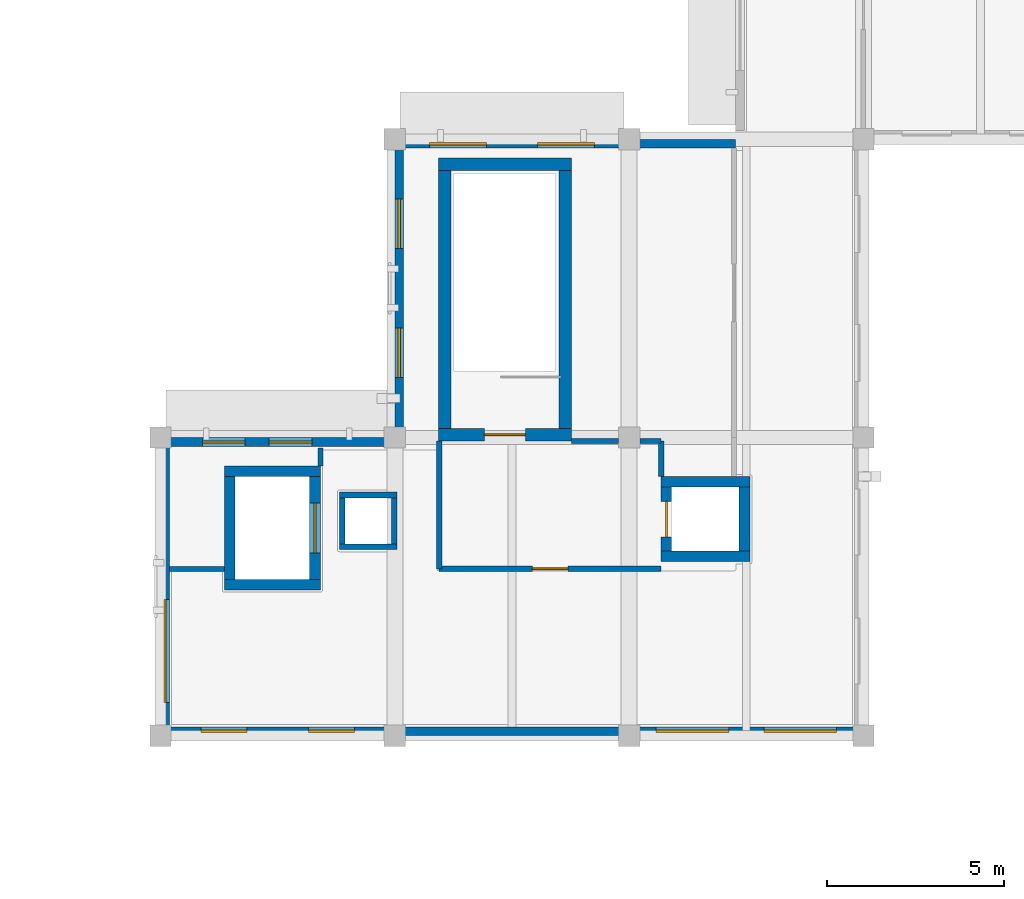
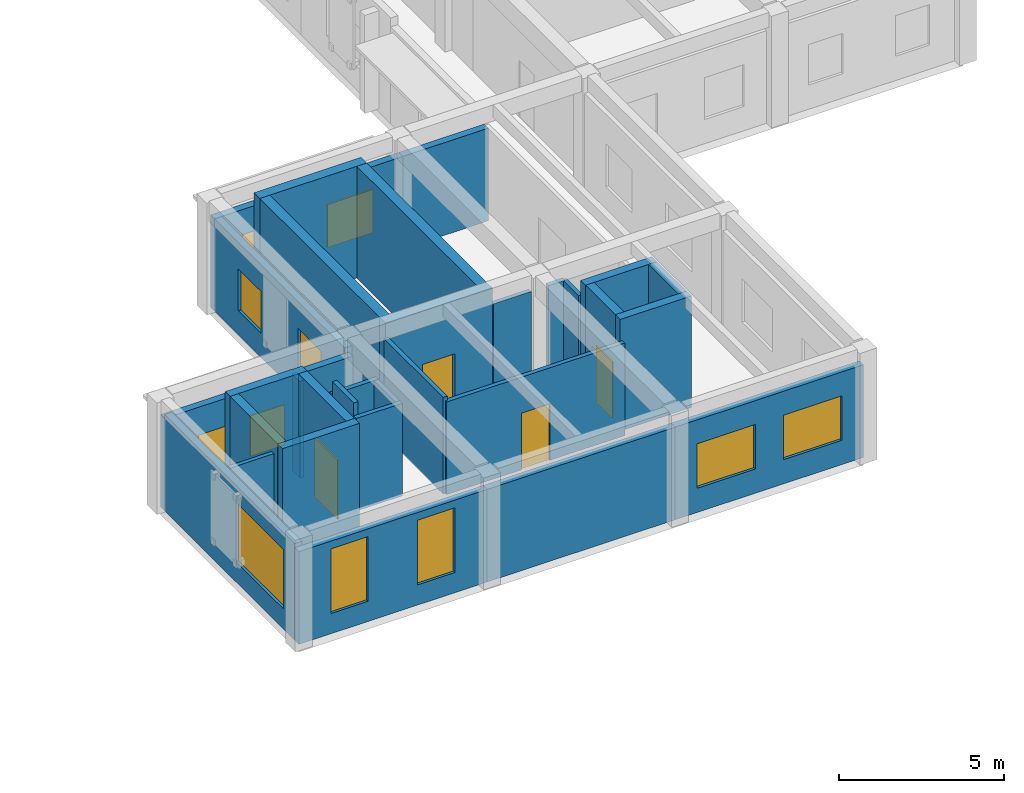
# One storey, part 6 of 14: 31 walls, 11 windows, 4 doors, 15 openings.
"""IFC4 building model written with IfcOpenShell, lengths in metres."""

from ifc_helpers import new_model, si_unit, direction, frame, frame_2d, origin, place, context, subcontext, project, spatial, rectangle, extrude, material, layer, layer_set, type_object, element, fill, save


model = new_model("IFC4")

# Units and contexts
model_context = context("Model", 3, precision=1e-05, world=origin(), true_north=direction((0.0, 1.0)))
body_context = subcontext(model_context, "Body", "Model", "MODEL_VIEW")
ifc_project = project(units=[si_unit("LENGTHUNIT", "METRE"), si_unit("AREAUNIT", "SQUARE_METRE"), si_unit("VOLUMEUNIT", "CUBIC_METRE"), si_unit("PLANEANGLEUNIT", "RADIAN"), si_unit("MASSUNIT", "GRAM", prefix="KILO")], contexts=[model_context])

# Site, building, storey
site_placement = place(None, origin())
site = spatial("IfcSite", under=ifc_project, at=site_placement, CompositionType="ELEMENT")
building_placement = place(site_placement, origin())
building = spatial("IfcBuilding", under=site, at=building_placement, Name="Kolvaren Faculty of Natural Sciences", CompositionType="ELEMENT")
storey_placement = place(building_placement, frame((0.0, 0.0, 28.5)))
storey = spatial("IfcBuildingStorey", under=building, at=storey_placement, Name="L06", CompositionType="ELEMENT", Elevation=28.5)

# Walls
ifc_material_1 = material(Name="Acoustic mineral-wool insulated gypsum partition")
ifc_layer_1 = layer(ifc_material_1, 0.139892578125)
ifc_layer_set_1 = layer_set([ifc_layer_1], Name="Acoustic mineral-wool insulated gypsum partition")
wall_type_1 = type_object("IfcWallType", Name="CommonsPartitionWall_140", PredefinedType="PARTITIONING", material=ifc_layer_set_1)
wall_1_placement = place(storey_placement, frame((123.5, 33.5, 0.0), z_axis=(0.0, 0.0, 1.0), x_axis=(0.0, -1.0, 0.0)))
element("IfcWall", 1, at=wall_1_placement, inside=storey, type_object=wall_type_1, Name="L06 interior partition PW-140", PredefinedType="PARTITIONING", context=body_context, shape_type="SweptSolid", body=[
    extrude(rectangle(XDim=0.498046875, YDim=0.139892578125, at=frame_2d((0.2490234375, 0.0))), origin(), (0.0, 0.0, 1.0), 3.5849609375),
])
wall_2_placement = place(storey_placement, frame((120.798095703125, 30.10009765625, 0.0), z_axis=(0.0, 0.0, 1.0), x_axis=(-1.0, 0.0, 0.0)))
element("IfcWall", 2, at=wall_2_placement, inside=storey, type_object=wall_type_1, Name="L06 interior partition PW-140", PredefinedType="PARTITIONING", context=body_context, shape_type="SweptSolid", body=[
    extrude(rectangle(XDim=1.546142578125, YDim=0.139892578125, at=frame_2d((0.77294921875, 0.0))), origin(), (0.0, 0.0, 1.0), 3.635009765625),
])

# Wall, opening, door
ifc_material_2 = material(Name="Concrete C40/50", Category="concrete")
ifc_layer_2 = layer(ifc_material_2, 0.35009765625)
ifc_layer_set_2 = layer_set([ifc_layer_2], Name="Concrete C40/50")
wall_type_2 = type_object("IfcWallType", Name="CoreShearWall_350", PredefinedType="SHEAR", material=ifc_layer_set_2)
wall_3_placement = place(storey_placement, frame((126.824951171875, 33.875, 0.0), z_axis=(0.0, 0.0, 1.0), x_axis=(1.0, 0.0, 0.0)))
wall_3 = element("IfcWall", 3, at=wall_3_placement, inside=storey, type_object=wall_type_2, Name="L06 CORE-C3 stair shear wall S", PredefinedType="SHEAR", context=body_context, shape_type="SweptSolid", body=[
    extrude(rectangle(XDim=3.75, YDim=0.35009765625, at=frame_2d((1.875, 0.0))), origin(), (0.0, 0.0, 1.0), 4.139892578125),
])
opening_1_placement = place(wall_3_placement, frame((1.300048828125, 0.0, 0.0)))
opening_1 = element("IfcOpeningElement", 4, at=opening_1_placement, cuts=wall_3, Name="Opening FD90", PredefinedType="OPENING", context=body_context, shape_type="SweptSolid", body=[
    extrude(rectangle(XDim=1.14990234375, YDim=2.14990234375, at=frame_2d((0.574951171875, 1.074951171875))), frame((0.0, 0.18505859375, 0.0), z_axis=(0.0, -1.0, 0.0), x_axis=(1.0, 0.0, 0.0)), (0.0, 0.0, 1.0), 0.3701171875),
])
ifc_material_3 = material(Name="Fire-rated solid-core hardwood door leaf in steel frame", Category="steel")
door_type_1 = type_object("IfcDoorType", Name="StairCoreFireDoor_1150x2150", OperationType="NOTDEFINED", PredefinedType="DOOR", material=ifc_material_3)
door_1_placement = place(opening_1_placement, origin())
door_1 = element("IfcDoor", 5, at=door_1_placement, inside=storey, type_object=door_type_1, Name="D-ST-ST-3-L06", OperationType="SINGLE_SWING_RIGHT", OverallHeight=2.14990234375, OverallWidth=1.14990234375, PredefinedType="DOOR", context=body_context, shape_type="SweptSolid", body=[
    extrude(rectangle(XDim=1.14990234375, YDim=2.14990234375, at=frame_2d((0.574951171875, 1.074951171875))), frame((0.0, 0.02490234375, 0.0), z_axis=(0.0, -1.0, 0.0), x_axis=(1.0, 0.0, 0.0)), (0.0, 0.0, 1.0), 0.050048828125),
])
fill(opening_1, door_1)

# Walls
wall_4_placement = place(storey_placement, frame((126.824951171875, 41.5, 0.0), z_axis=(0.0, 0.0, 1.0), x_axis=(1.0, 0.0, 0.0)))
element("IfcWall", 6, at=wall_4_placement, inside=storey, type_object=wall_type_2, Name="L06 CORE-C3 stair shear wall N", PredefinedType="SHEAR", context=body_context, shape_type="SweptSolid", body=[
    extrude(rectangle(XDim=3.75, YDim=0.35009765625, at=frame_2d((1.875, 0.0))), origin(), (0.0, 0.0, 1.0), 4.139892578125),
])
for number, where, z_axis, x_axis, name in (
    (7, (127.0, 34.050048828125, 0.0), (0.0, 0.0, 1.0), (0.0, 1.0, 0.0), "L06 CORE-C3 stair shear wall W"),
    (8, (130.39990234375, 34.050048828125, 0.0), (0.0, 0.0, 1.0), (0.0, 1.0, 0.0), "L06 CORE-C3 stair shear wall E"),
):
    element("IfcWall", number, at=place(storey_placement, frame(where, z_axis=z_axis, x_axis=x_axis)), inside=storey, type_object=wall_type_2, Name=name, PredefinedType="SHEAR", context=body_context, shape_type="SweptSolid", body=[
        extrude(rectangle(XDim=7.27490234375, YDim=0.35009765625, at=frame_2d((3.637451171875, 0.0))), origin(), (0.0, 0.0, 1.0), 4.139892578125),
    ])

# Wall, opening, window
ifc_material_4 = material(Name="Precast concrete C35/45", Category="concrete")
ifc_layer_3 = layer(ifc_material_4, 0.25)
ifc_layer_set_3 = layer_set([ifc_layer_3], Name="Precast concrete C35/45")
wall_type_3 = type_object("IfcWallType", Name="ExteriorTowerWall_250", PredefinedType="STANDARD", material=ifc_layer_set_3)
wall_5_placement = place(storey_placement, frame((119.125, 25.64990234375, 0.0), z_axis=(0.0, 0.0, 1.0), x_axis=(0.0, 1.0, 0.0)))
wall_5 = element("IfcWall", 9, at=wall_5_placement, inside=storey, type_object=wall_type_3, Name="L06 exterior masonry wall EW-250 (680)", PredefinedType="STANDARD", context=body_context, shape_type="SweptSolid", body=[
    extrude(rectangle(XDim=7.900146484375, YDim=0.25, at=frame_2d((3.9501953125, 0.0))), origin(), (0.0, 0.0, 1.0), 3.5849609375),
])
opening_2_placement = place(wall_5_placement, frame((0.68310546875, 0.0, 0.75)))
opening_2 = element("IfcOpeningElement", 10, at=opening_2_placement, cuts=wall_5, Name="Opening WIN-12", PredefinedType="OPENING", context=body_context, shape_type="SweptSolid", body=[
    extrude(rectangle(XDim=2.89990234375, YDim=2.199951171875, at=frame_2d((1.449951171875, 1.10009765625))), frame((0.0, 0.135009765625, 0.0), z_axis=(0.0, -1.0, 0.0), x_axis=(1.0, 0.0, 0.0)), (0.0, 0.0, 1.0), 0.27001953125),
])
ifc_material_5 = material(Name="Double low-E solar control insulated glazing", Category="glass")
window_type_1 = type_object("IfcWindowType", Name="AluWindow_WIN12_2900x2200", PartitioningType="SINGLE_PANEL", PredefinedType="WINDOW", material=ifc_material_5)
window_1_placement = place(opening_2_placement, origin())
window_1 = element("IfcWindow", 11, at=window_1_placement, inside=storey, type_object=window_type_1, Name="WIN-L06-0508", OverallHeight=2.199951171875, OverallWidth=2.89990234375, PartitioningType="SINGLE_PANEL", PredefinedType="WINDOW", context=body_context, shape_type="SweptSolid", body=[
    extrude(rectangle(XDim=2.89990234375, YDim=2.199951171875, at=frame_2d((1.449951171875, 1.10009765625))), frame((0.0, 0.030029296875, 0.0), z_axis=(0.0, -1.0, 0.0), x_axis=(1.0, 0.0, 0.0)), (0.0, 0.0, 1.0), 0.06005859375),
])
fill(opening_2, window_1)

# Wall, openings, windows
wall_6_placement = place(storey_placement, frame((119.0, 33.675048828125, 0.0), z_axis=(0.0, 0.0, 1.0), x_axis=(1.0, 0.0, 0.0)))
wall_6 = element("IfcWall", 12, at=wall_6_placement, inside=storey, type_object=wall_type_3, Name="L06 exterior masonry wall EW-250 (681)", PredefinedType="STANDARD", context=body_context, shape_type="SweptSolid", body=[
    extrude(rectangle(XDim=6.60009765625, YDim=0.25, at=frame_2d((3.300048828125, 0.0))), origin(), (0.0, 0.0, 1.0), 3.43505859375),
])
opening_3_placement = place(wall_6_placement, frame((1.181884765625, 0.0, 0.89990234375)))
opening_3 = element("IfcOpeningElement", 13, at=opening_3_placement, cuts=wall_6, Name="Opening WIN-13", PredefinedType="OPENING", context=body_context, shape_type="SweptSolid", body=[
    extrude(rectangle(XDim=1.199951171875, YDim=1.5, at=frame_2d((0.60009765625, 0.75))), frame((0.0, 0.135009765625, 0.0), z_axis=(0.0, -1.0, 0.0), x_axis=(1.0, 0.0, 0.0)), (0.0, 0.0, 1.0), 0.27001953125),
])
opening_4_placement = place(wall_6_placement, frame((3.06005859375, 0.0, 0.89990234375)))
opening_4 = element("IfcOpeningElement", 14, at=opening_4_placement, cuts=wall_6, Name="Opening WIN-13", PredefinedType="OPENING", context=body_context, shape_type="SweptSolid", body=[
    extrude(rectangle(XDim=1.199951171875, YDim=1.5, at=frame_2d((0.60009765625, 0.75))), frame((0.0, 0.135009765625, 0.0), z_axis=(0.0, -1.0, 0.0), x_axis=(1.0, 0.0, 0.0)), (0.0, 0.0, 1.0), 0.27001953125),
])
window_type_2 = type_object("IfcWindowType", Name="AluWindow_WIN13_1200x1500", PartitioningType="SINGLE_PANEL", PredefinedType="WINDOW", material=ifc_material_5)
window_2_placement = place(opening_3_placement, origin())
window_2 = element("IfcWindow", 15, at=window_2_placement, inside=storey, type_object=window_type_2, Name="WIN-L06-0509", OverallHeight=1.5, OverallWidth=1.199951171875, PartitioningType="SINGLE_PANEL", PredefinedType="WINDOW", context=body_context, shape_type="SweptSolid", body=[
    extrude(rectangle(XDim=1.199951171875, YDim=1.5, at=frame_2d((0.60009765625, 0.75))), frame((0.0, 0.030029296875, 0.0), z_axis=(0.0, -1.0, 0.0), x_axis=(1.0, 0.0, 0.0)), (0.0, 0.0, 1.0), 0.06005859375),
])
fill(opening_3, window_2)
window_3_placement = place(opening_4_placement, origin())
window_3 = element("IfcWindow", 16, at=window_3_placement, inside=storey, type_object=window_type_2, Name="WIN-L06-0510", OverallHeight=1.5, OverallWidth=1.199951171875, PartitioningType="SINGLE_PANEL", PredefinedType="WINDOW", context=body_context, shape_type="SweptSolid", body=[
    extrude(rectangle(XDim=1.199951171875, YDim=1.5, at=frame_2d((0.60009765625, 0.75))), frame((0.0, 0.030029296875, 0.0), z_axis=(0.0, -1.0, 0.0), x_axis=(1.0, 0.0, 0.0)), (0.0, 0.0, 1.0), 0.06005859375),
])
fill(opening_4, window_3)

wall_7_placement = place(storey_placement, frame((125.72509765625, 34.050048828125, 0.0), z_axis=(0.0, 0.0, 1.0), x_axis=(0.0, 1.0, 0.0)))
wall_7 = element("IfcWall", 17, at=wall_7_placement, inside=storey, type_object=wall_type_3, Name="L06 exterior masonry wall EW-250 (682)", PredefinedType="STANDARD", context=body_context, shape_type="SweptSolid", body=[
    extrude(rectangle(XDim=7.89990234375, YDim=0.25, at=frame_2d((3.949951171875, 0.0))), origin(), (0.0, 0.0, 1.0), 3.43505859375),
])
opening_5_placement = place(wall_7_placement, frame((1.43310546875, 0.0, 0.89990234375)))
opening_5 = element("IfcOpeningElement", 18, at=opening_5_placement, cuts=wall_7, Name="Opening WIN-14", PredefinedType="OPENING", context=body_context, shape_type="SweptSolid", body=[
    extrude(rectangle(XDim=1.39990234375, YDim=1.550048828125, at=frame_2d((0.699951171875, 0.77490234375))), frame((0.0, 0.135009765625, 0.0), z_axis=(0.0, -1.0, 0.0), x_axis=(1.0, 0.0, 0.0)), (0.0, 0.0, 1.0), 0.27001953125),
])
opening_6_placement = place(wall_7_placement, frame((5.06689453125, 0.0, 0.89990234375)))
opening_6 = element("IfcOpeningElement", 19, at=opening_6_placement, cuts=wall_7, Name="Opening WIN-14", PredefinedType="OPENING", context=body_context, shape_type="SweptSolid", body=[
    extrude(rectangle(XDim=1.39990234375, YDim=1.550048828125, at=frame_2d((0.699951171875, 0.77490234375))), frame((0.0, 0.135009765625, 0.0), z_axis=(0.0, -1.0, 0.0), x_axis=(1.0, 0.0, 0.0)), (0.0, 0.0, 1.0), 0.27001953125),
])
window_type_3 = type_object("IfcWindowType", Name="AluWindow_WIN14_1400x1550", PartitioningType="SINGLE_PANEL", PredefinedType="WINDOW", material=ifc_material_5)
window_4_placement = place(opening_5_placement, origin())
window_4 = element("IfcWindow", 20, at=window_4_placement, inside=storey, type_object=window_type_3, Name="WIN-L06-0511", OverallHeight=1.550048828125, OverallWidth=1.39990234375, PartitioningType="SINGLE_PANEL", PredefinedType="WINDOW", context=body_context, shape_type="SweptSolid", body=[
    extrude(rectangle(XDim=1.39990234375, YDim=1.550048828125, at=frame_2d((0.699951171875, 0.77490234375))), frame((0.0, 0.030029296875, 0.0), z_axis=(0.0, -1.0, 0.0), x_axis=(1.0, 0.0, 0.0)), (0.0, 0.0, 1.0), 0.06005859375),
])
fill(opening_5, window_4)
window_5_placement = place(opening_6_placement, origin())
window_5 = element("IfcWindow", 21, at=window_5_placement, inside=storey, type_object=window_type_3, Name="WIN-L06-0512", OverallHeight=1.550048828125, OverallWidth=1.39990234375, PartitioningType="SINGLE_PANEL", PredefinedType="WINDOW", context=body_context, shape_type="SweptSolid", body=[
    extrude(rectangle(XDim=1.39990234375, YDim=1.550048828125, at=frame_2d((0.699951171875, 0.77490234375))), frame((0.0, 0.030029296875, 0.0), z_axis=(0.0, -1.0, 0.0), x_axis=(1.0, 0.0, 0.0)), (0.0, 0.0, 1.0), 0.06005859375),
])
fill(opening_6, window_5)

wall_8_placement = place(storey_placement, frame((125.60009765625, 42.074951171875, 0.0), z_axis=(0.0, 0.0, 1.0), x_axis=(1.0, 0.0, 0.0)))
wall_8 = element("IfcWall", 22, at=wall_8_placement, inside=storey, type_object=wall_type_3, Name="L06 exterior masonry wall EW-250 (683)", PredefinedType="STANDARD", context=body_context, shape_type="SweptSolid", body=[
    extrude(rectangle(XDim=6.599853515625, YDim=0.25, at=frame_2d((3.2998046875, 0.0))), origin(), (0.0, 0.0, 1.0), 3.43505859375),
])
opening_7_placement = place(wall_8_placement, frame((0.98193359375, 0.0, 0.89990234375)))
opening_7 = element("IfcOpeningElement", 23, at=opening_7_placement, cuts=wall_8, Name="Opening WIN-15", PredefinedType="OPENING", context=body_context, shape_type="SweptSolid", body=[
    extrude(rectangle(XDim=1.60009765625, YDim=1.60009765625, at=frame_2d((0.800048828125, 0.800048828125))), frame((0.0, 0.135009765625, 0.0), z_axis=(0.0, -1.0, 0.0), x_axis=(1.0, 0.0, 0.0)), (0.0, 0.0, 1.0), 0.27001953125),
])
opening_8_placement = place(wall_8_placement, frame((4.01806640625, 0.0, 0.89990234375)))
opening_8 = element("IfcOpeningElement", 24, at=opening_8_placement, cuts=wall_8, Name="Opening WIN-15", PredefinedType="OPENING", context=body_context, shape_type="SweptSolid", body=[
    extrude(rectangle(XDim=1.60009765625, YDim=1.60009765625, at=frame_2d((0.800048828125, 0.800048828125))), frame((0.0, 0.135009765625, 0.0), z_axis=(0.0, -1.0, 0.0), x_axis=(1.0, 0.0, 0.0)), (0.0, 0.0, 1.0), 0.27001953125),
])
window_type_4 = type_object("IfcWindowType", Name="AluWindow_WIN15_1600x1600", PartitioningType="SINGLE_PANEL", PredefinedType="WINDOW", material=ifc_material_5)
window_6_placement = place(opening_7_placement, origin())
window_6 = element("IfcWindow", 25, at=window_6_placement, inside=storey, type_object=window_type_4, Name="WIN-L06-0513", OverallHeight=1.60009765625, OverallWidth=1.60009765625, PartitioningType="SINGLE_PANEL", PredefinedType="WINDOW", context=body_context, shape_type="SweptSolid", body=[
    extrude(rectangle(XDim=1.60009765625, YDim=1.60009765625, at=frame_2d((0.800048828125, 0.800048828125))), frame((0.0, 0.030029296875, 0.0), z_axis=(0.0, -1.0, 0.0), x_axis=(1.0, 0.0, 0.0)), (0.0, 0.0, 1.0), 0.06005859375),
])
fill(opening_7, window_6)
window_7_placement = place(opening_8_placement, origin())
window_7 = element("IfcWindow", 26, at=window_7_placement, inside=storey, type_object=window_type_4, Name="WIN-L06-0514", OverallHeight=1.60009765625, OverallWidth=1.60009765625, PartitioningType="SINGLE_PANEL", PredefinedType="WINDOW", context=body_context, shape_type="SweptSolid", body=[
    extrude(rectangle(XDim=1.60009765625, YDim=1.60009765625, at=frame_2d((0.800048828125, 0.800048828125))), frame((0.0, 0.030029296875, 0.0), z_axis=(0.0, -1.0, 0.0), x_axis=(1.0, 0.0, 0.0)), (0.0, 0.0, 1.0), 0.06005859375),
])
fill(opening_8, window_7)

# Wall
wall_9_placement = place(storey_placement, frame((132.199951171875, 42.074951171875, 0.0), z_axis=(0.0, 0.0, 1.0), x_axis=(1.0, 0.0, 0.0)))
element("IfcWall", 27, at=wall_9_placement, inside=storey, type_object=wall_type_3, Name="L06 exterior masonry wall EW-250 (684)", PredefinedType="STANDARD", context=body_context, shape_type="SweptSolid", body=[
    extrude(rectangle(XDim=3.0, YDim=0.25, at=frame_2d((1.5, 0.0))), origin(), (0.0, 0.0, 1.0), 3.43505859375),
])

# Wall, openings, windows
wall_10_placement = place(storey_placement, frame((138.800048828125, 25.52490234375, 0.0), z_axis=(0.0, 0.0, 1.0), x_axis=(-1.0, 0.0, 0.0)))
wall_10 = element("IfcWall", 28, at=wall_10_placement, inside=storey, type_object=wall_type_3, Name="L06 exterior masonry wall EW-250 (709)", PredefinedType="STANDARD", context=body_context, shape_type="SweptSolid", body=[
    extrude(rectangle(XDim=6.60009765625, YDim=0.25, at=frame_2d((3.300048828125, 0.0))), origin(), (0.0, 0.0, 1.0), 3.43505859375),
])
opening_9_placement = place(wall_10_placement, frame((0.757080078125, 0.0, 0.89990234375)))
opening_9 = element("IfcOpeningElement", 29, at=opening_9_placement, cuts=wall_10, Name="Opening WIN-17", PredefinedType="OPENING", context=body_context, shape_type="SweptSolid", body=[
    extrude(rectangle(XDim=2.050048828125, YDim=1.64990234375, at=frame_2d((1.02490234375, 0.824951171875))), frame((0.0, 0.135009765625, 0.0), z_axis=(0.0, -1.0, 0.0), x_axis=(1.0, 0.0, 0.0)), (0.0, 0.0, 1.0), 0.27001953125),
])
opening_10_placement = place(wall_10_placement, frame((3.79296875, 0.0, 0.89990234375)))
opening_10 = element("IfcOpeningElement", 30, at=opening_10_placement, cuts=wall_10, Name="Opening WIN-17", PredefinedType="OPENING", context=body_context, shape_type="SweptSolid", body=[
    extrude(rectangle(XDim=2.050048828125, YDim=1.64990234375, at=frame_2d((1.02490234375, 0.824951171875))), frame((0.0, 0.135009765625, 0.0), z_axis=(0.0, -1.0, 0.0), x_axis=(1.0, 0.0, 0.0)), (0.0, 0.0, 1.0), 0.27001953125),
])
window_type_5 = type_object("IfcWindowType", Name="AluWindow_WIN17_2050x1650", PartitioningType="SINGLE_PANEL", PredefinedType="WINDOW", material=ifc_material_5)
window_8_placement = place(opening_9_placement, origin())
window_8 = element("IfcWindow", 31, at=window_8_placement, inside=storey, type_object=window_type_5, Name="WIN-L06-0553", OverallHeight=1.64990234375, OverallWidth=2.050048828125, PartitioningType="SINGLE_PANEL", PredefinedType="WINDOW", context=body_context, shape_type="SweptSolid", body=[
    extrude(rectangle(XDim=2.050048828125, YDim=1.64990234375, at=frame_2d((1.02490234375, 0.824951171875))), frame((0.0, 0.030029296875, 0.0), z_axis=(0.0, -1.0, 0.0), x_axis=(1.0, 0.0, 0.0)), (0.0, 0.0, 1.0), 0.06005859375),
])
fill(opening_9, window_8)
window_9_placement = place(opening_10_placement, origin())
window_9 = element("IfcWindow", 32, at=window_9_placement, inside=storey, type_object=window_type_5, Name="WIN-L06-0554", OverallHeight=1.64990234375, OverallWidth=2.050048828125, PartitioningType="SINGLE_PANEL", PredefinedType="WINDOW", context=body_context, shape_type="SweptSolid", body=[
    extrude(rectangle(XDim=2.050048828125, YDim=1.64990234375, at=frame_2d((1.02490234375, 0.824951171875))), frame((0.0, 0.030029296875, 0.0), z_axis=(0.0, -1.0, 0.0), x_axis=(1.0, 0.0, 0.0)), (0.0, 0.0, 1.0), 0.06005859375),
])
fill(opening_10, window_9)

# Wall
wall_11_placement = place(storey_placement, frame((132.199951171875, 25.52490234375, 0.0), z_axis=(0.0, 0.0, 1.0), x_axis=(-1.0, 0.0, 0.0)))
element("IfcWall", 33, at=wall_11_placement, inside=storey, type_object=wall_type_3, Name="L06 exterior masonry wall EW-250 (710)", PredefinedType="STANDARD", context=body_context, shape_type="SweptSolid", body=[
    extrude(rectangle(XDim=6.599853515625, YDim=0.25, at=frame_2d((3.2998046875, 0.0))), origin(), (0.0, 0.0, 1.0), 3.43505859375),
])

# Wall, openings, windows
wall_12_placement = place(storey_placement, frame((125.60009765625, 25.52490234375, 0.0), z_axis=(0.0, 0.0, 1.0), x_axis=(-1.0, 0.0, 0.0)))
wall_12 = element("IfcWall", 34, at=wall_12_placement, inside=storey, type_object=wall_type_3, Name="L06 exterior masonry wall EW-250 (711)", PredefinedType="STANDARD", context=body_context, shape_type="SweptSolid", body=[
    extrude(rectangle(XDim=6.60009765625, YDim=0.25, at=frame_2d((3.300048828125, 0.0))), origin(), (0.0, 0.0, 1.0), 3.43505859375),
])
opening_11_placement = place(wall_12_placement, frame((1.132080078125, 0.0, 0.75)))
opening_11 = element("IfcOpeningElement", 35, at=opening_11_placement, cuts=wall_12, Name="Opening WIN-19", PredefinedType="OPENING", context=body_context, shape_type="SweptSolid", body=[
    extrude(rectangle(XDim=1.300048828125, YDim=2.39990234375, at=frame_2d((0.64990234375, 1.199951171875))), frame((0.0, 0.135009765625, 0.0), z_axis=(0.0, -1.0, 0.0), x_axis=(1.0, 0.0, 0.0)), (0.0, 0.0, 1.0), 0.27001953125),
])
opening_12_placement = place(wall_12_placement, frame((4.16796875, 0.0, 0.75)))
opening_12 = element("IfcOpeningElement", 36, at=opening_12_placement, cuts=wall_12, Name="Opening WIN-19", PredefinedType="OPENING", context=body_context, shape_type="SweptSolid", body=[
    extrude(rectangle(XDim=1.300048828125, YDim=2.39990234375, at=frame_2d((0.64990234375, 1.199951171875))), frame((0.0, 0.135009765625, 0.0), z_axis=(0.0, -1.0, 0.0), x_axis=(1.0, 0.0, 0.0)), (0.0, 0.0, 1.0), 0.27001953125),
])
window_type_6 = type_object("IfcWindowType", Name="AluWindow_WIN19_1300x2400", PartitioningType="SINGLE_PANEL", PredefinedType="WINDOW", material=ifc_material_5)
window_10_placement = place(opening_11_placement, origin())
window_10 = element("IfcWindow", 37, at=window_10_placement, inside=storey, type_object=window_type_6, Name="WIN-L06-0555", OverallHeight=2.39990234375, OverallWidth=1.300048828125, PartitioningType="SINGLE_PANEL", PredefinedType="WINDOW", context=body_context, shape_type="SweptSolid", body=[
    extrude(rectangle(XDim=1.300048828125, YDim=2.39990234375, at=frame_2d((0.64990234375, 1.199951171875))), frame((0.0, 0.030029296875, 0.0), z_axis=(0.0, -1.0, 0.0), x_axis=(1.0, 0.0, 0.0)), (0.0, 0.0, 1.0), 0.06005859375),
])
fill(opening_11, window_10)
window_11_placement = place(opening_12_placement, origin())
window_11 = element("IfcWindow", 38, at=window_11_placement, inside=storey, type_object=window_type_6, Name="WIN-L06-0556", OverallHeight=2.39990234375, OverallWidth=1.300048828125, PartitioningType="SINGLE_PANEL", PredefinedType="WINDOW", context=body_context, shape_type="SweptSolid", body=[
    extrude(rectangle(XDim=1.300048828125, YDim=2.39990234375, at=frame_2d((0.64990234375, 1.199951171875))), frame((0.0, 0.030029296875, 0.0), z_axis=(0.0, -1.0, 0.0), x_axis=(1.0, 0.0, 0.0)), (0.0, 0.0, 1.0), 0.06005859375),
])
fill(opening_12, window_11)

# Walls
ifc_material_6 = material(Name="Double fire-rated gypsum board on 100 mm steel stud", Category="steel")
ifc_layer_4 = layer(ifc_material_6, 0.14990234375)
ifc_layer_set_4 = layer_set([ifc_layer_4], Name="Double fire-rated gypsum board on 100 mm steel stud")
wall_type_4 = type_object("IfcWallType", Name="RatedCorridorWall_150", PredefinedType="PARTITIONING", material=ifc_layer_set_4)
wall_13_placement = place(storey_placement, frame((130.574951171875, 33.699951171875, 0.0), z_axis=(0.0, 0.0, 1.0), x_axis=(1.0, 0.0, 0.0)))
element("IfcWall", 39, at=wall_13_placement, inside=storey, type_object=wall_type_4, Name="L06 interior partition LW-150", PredefinedType="PARTITIONING", context=body_context, shape_type="SweptSolid", body=[
    extrude(rectangle(XDim=1.324951171875, YDim=0.14990234375, at=frame_2d((0.66259765625, 0.0))), origin(), (0.0, 0.0, 1.0), 3.5849609375),
])
wall_14_placement = place(storey_placement, frame((132.5, 33.699951171875, 0.0), z_axis=(0.0, 0.0, 1.0), x_axis=(1.0, 0.0, 0.0)))
element("IfcWall", 40, at=wall_14_placement, inside=storey, type_object=wall_type_4, Name="L06 interior partition LW-150", PredefinedType="PARTITIONING", context=body_context, shape_type="SweptSolid", body=[
    extrude(rectangle(XDim=0.60009765625, YDim=0.14990234375, at=frame_2d((0.300048828125, 0.0))), origin(), (0.0, 0.0, 1.0), 3.5849609375),
])
wall_15_placement = place(storey_placement, frame((133.10009765625, 33.699951171875, 0.0), z_axis=(0.0, 0.0, 1.0), x_axis=(0.0, -1.0, 0.0)))
element("IfcWall", 41, at=wall_15_placement, inside=storey, type_object=wall_type_4, Name="L06 interior partition LW-150", PredefinedType="PARTITIONING", context=body_context, shape_type="SweptSolid", body=[
    extrude(rectangle(XDim=0.998046875, YDim=0.14990234375, at=frame_2d((0.4990234375, 0.0))), origin(), (0.0, 0.0, 1.0), 3.5849609375),
])

# Wall, opening, door
wall_16_placement = place(storey_placement, frame((133.10009765625, 30.10009765625, 0.0), z_axis=(0.0, 0.0, 1.0), x_axis=(-1.0, 0.0, 0.0)))
wall_16 = element("IfcWall", 42, at=wall_16_placement, inside=storey, type_object=wall_type_4, Name="L06 interior partition LW-150", PredefinedType="PARTITIONING", context=body_context, shape_type="SweptSolid", body=[
    extrude(rectangle(XDim=6.25, YDim=0.14990234375, at=frame_2d((3.125, 0.0))), origin(), (0.0, 0.0, 1.0), 3.43505859375),
])
opening_13_placement = place(wall_16_placement, frame((2.625, 0.0, 0.0)))
opening_13 = element("IfcOpeningElement", 43, at=opening_13_placement, cuts=wall_16, Name="Opening FD30", PredefinedType="OPENING", context=body_context, shape_type="SweptSolid", body=[
    extrude(rectangle(XDim=1.0, YDim=2.10009765625, at=frame_2d((0.5, 1.050048828125))), frame((0.0, 0.0849609375, 0.0), z_axis=(0.0, -1.0, 0.0), x_axis=(1.0, 0.0, 0.0)), (0.0, 0.0, 1.0), 0.169921875),
])
door_type_2 = type_object("IfcDoorType", Name="CorridorFireDoor_1000x2100", OperationType="NOTDEFINED", PredefinedType="DOOR", material=ifc_material_3)
door_2_placement = place(opening_13_placement, origin())
door_2 = element("IfcDoor", 44, at=door_2_placement, inside=storey, type_object=door_type_2, Name="D-L06-0332", OperationType="SINGLE_SWING_RIGHT", OverallHeight=2.10009765625, OverallWidth=1.0, PredefinedType="DOOR", context=body_context, shape_type="SweptSolid", body=[
    extrude(rectangle(XDim=1.0, YDim=2.10009765625, at=frame_2d((0.5, 1.050048828125))), frame((0.0, 0.02490234375, 0.0), z_axis=(0.0, -1.0, 0.0), x_axis=(1.0, 0.0, 0.0)), (0.0, 0.0, 1.0), 0.050048828125),
])
fill(opening_13, door_2)

# Walls
wall_17_placement = place(storey_placement, frame((126.85009765625, 30.10009765625, 0.0), z_axis=(0.0, 0.0, 1.0), x_axis=(0.0, 1.0, 0.0)))
element("IfcWall", 45, at=wall_17_placement, inside=storey, type_object=wall_type_4, Name="L06 interior partition LW-150", PredefinedType="PARTITIONING", context=body_context, shape_type="SweptSolid", body=[
    extrude(rectangle(XDim=3.597900390625, YDim=0.14990234375, at=frame_2d((1.798828125, 0.0))), origin(), (0.0, 0.0, 1.0), 3.5849609375),
])
ifc_layer_5 = layer(ifc_material_6, 0.159912109375)
ifc_layer_set_5 = layer_set([ifc_layer_5], Name="Double fire-rated gypsum board on 100 mm steel stud")
wall_type_5 = type_object("IfcWallType", Name="RiserShaftWall_160", PredefinedType="PARTITIONING", material=ifc_layer_set_5)
for number, where, z_axis, x_axis, name in (
    (46, (124.0400390625, 30.719970703125, 0.0), (0.0, 0.0, 1.0), (1.0, 0.0, 0.0), "L06 service riser shaft wall S"),
    (47, (124.0400390625, 32.179931640625, 0.0), (0.0, 0.0, 1.0), (1.0, 0.0, 0.0), "L06 service riser shaft wall N"),
):
    element("IfcWall", number, at=place(storey_placement, frame(where, z_axis=z_axis, x_axis=x_axis)), inside=storey, type_object=wall_type_5, Name=name, PredefinedType="PARTITIONING", context=body_context, shape_type="SweptSolid", body=[
        extrude(rectangle(XDim=1.619873046875, YDim=0.159912109375, at=frame_2d((0.81005859375, 0.0))), origin(), (0.0, 0.0, 1.0), 3.43505859375),
    ])
wall_18_placement = place(storey_placement, frame((124.1201171875, 30.800048828125, 0.0), z_axis=(0.0, 0.0, 1.0), x_axis=(0.0, 1.0, 0.0)))
element("IfcWall", 48, at=wall_18_placement, inside=storey, type_object=wall_type_5, Name="L06 service riser shaft wall W", PredefinedType="PARTITIONING", context=body_context, shape_type="SweptSolid", body=[
    extrude(rectangle(XDim=1.300048828125, YDim=0.159912109375, at=frame_2d((0.64990234375, 0.0))), origin(), (0.0, 0.0, 1.0), 3.9150390625),
])
wall_19_placement = place(storey_placement, frame((125.580078125, 30.800048828125, 0.0), z_axis=(0.0, 0.0, 1.0), x_axis=(0.0, 1.0, 0.0)))
element("IfcWall", 49, at=wall_19_placement, inside=storey, type_object=wall_type_5, Name="L06 service riser shaft wall E", PredefinedType="PARTITIONING", context=body_context, shape_type="SweptSolid", body=[
    extrude(rectangle(XDim=1.300048828125, YDim=0.159912109375, at=frame_2d((0.64990234375, 0.0))), origin(), (0.0, 0.0, 1.0), 3.43505859375),
])
ifc_layer_6 = layer(ifc_material_2, 0.300048828125)
ifc_layer_set_6 = layer_set([ifc_layer_6], Name="Concrete C40/50")
wall_type_6 = type_object("IfcWallType", Name="ShaftShearWall_300", PredefinedType="SHEAR", material=ifc_layer_set_6)
for number, where, z_axis, x_axis, name in (
    (50, (133.10009765625, 30.449951171875, 0.0), (0.0, 0.0, 1.0), (1.0, 0.0, 0.0), "L06 lift PL-3 shaft wall S"),
    (51, (133.10009765625, 32.550048828125, 0.0), (0.0, 0.0, 1.0), (1.0, 0.0, 0.0), "L06 lift PL-3 shaft wall N"),
):
    element("IfcWall", number, at=place(storey_placement, frame(where, z_axis=z_axis, x_axis=x_axis)), inside=storey, type_object=wall_type_6, Name=name, PredefinedType="SHEAR", context=body_context, shape_type="SweptSolid", body=[
        extrude(rectangle(XDim=2.5, YDim=0.300048828125, at=frame_2d((1.25, 0.0))), origin(), (0.0, 0.0, 1.0), 4.139892578125),
    ])

# Wall, opening, door
wall_20_placement = place(storey_placement, frame((133.25, 30.60009765625, 0.0), z_axis=(0.0, 0.0, 1.0), x_axis=(0.0, 1.0, 0.0)))
wall_20 = element("IfcWall", 52, at=wall_20_placement, inside=storey, type_object=wall_type_6, Name="L06 lift PL-3 shaft wall W", PredefinedType="SHEAR", context=body_context, shape_type="SweptSolid", body=[
    extrude(rectangle(XDim=1.7998046875, YDim=0.300048828125, at=frame_2d((0.89990234375, 0.0))), origin(), (0.0, 0.0, 1.0), 4.139892578125),
])
opening_14_placement = place(wall_20_placement, frame((0.39990234375, 0.0, 0.0)))
opening_14 = element("IfcOpeningElement", 53, at=opening_14_placement, cuts=wall_20, Name="Opening LD-02", PredefinedType="OPENING", context=body_context, shape_type="SweptSolid", body=[
    extrude(rectangle(XDim=1.0, YDim=2.10009765625, at=frame_2d((0.5, 1.050048828125))), frame((0.0, 0.159912109375, 0.0), z_axis=(0.0, -1.0, 0.0), x_axis=(1.0, 0.0, 0.0)), (0.0, 0.0, 1.0), 0.320068359375),
])
ifc_material_7 = material(Name="Brushed stainless steel lift car and sliding door assembly", Category="steel")
door_type_3 = type_object("IfcDoorType", Name="LiftLandingSliding_1000x2100", OperationType="SLIDING_TO_LEFT", PredefinedType="DOOR", material=ifc_material_7)
door_3_placement = place(opening_14_placement, origin())
door_3 = element("IfcDoor", 54, at=door_3_placement, inside=storey, type_object=door_type_3, Name="D-LIFT-PL-3-L06", OperationType="SLIDING_TO_LEFT", OverallHeight=2.10009765625, OverallWidth=1.0, PredefinedType="DOOR", context=body_context, shape_type="SweptSolid", body=[
    extrude(rectangle(XDim=1.0, YDim=2.10009765625, at=frame_2d((0.5, 1.050048828125))), frame((0.0, 0.02490234375, 0.0), z_axis=(0.0, -1.0, 0.0), x_axis=(1.0, 0.0, 0.0)), (0.0, 0.0, 1.0), 0.050048828125),
])
fill(opening_14, door_3)

# Walls
wall_21_placement = place(storey_placement, frame((135.449951171875, 30.60009765625, 0.0), z_axis=(0.0, 0.0, 1.0), x_axis=(0.0, 1.0, 0.0)))
element("IfcWall", 55, at=wall_21_placement, inside=storey, type_object=wall_type_6, Name="L06 lift PL-3 shaft wall E", PredefinedType="SHEAR", context=body_context, shape_type="SweptSolid", body=[
    extrude(rectangle(XDim=1.7998046875, YDim=0.300048828125, at=frame_2d((0.89990234375, 0.0))), origin(), (0.0, 0.0, 1.0), 4.139892578125),
])
for number, where, z_axis, x_axis, name in (
    (56, (120.800048828125, 29.64990234375, 0.0), (0.0, 0.0, 1.0), (1.0, 0.0, 0.0), "L06 lift GL-1 shaft wall S"),
    (57, (120.800048828125, 32.85009765625, 0.0), (0.0, 0.0, 1.0), (1.0, 0.0, 0.0), "L06 lift GL-1 shaft wall N"),
):
    element("IfcWall", number, at=place(storey_placement, frame(where, z_axis=z_axis, x_axis=x_axis)), inside=storey, type_object=wall_type_6, Name=name, PredefinedType="SHEAR", context=body_context, shape_type="SweptSolid", body=[
        extrude(rectangle(XDim=2.699951171875, YDim=0.300048828125, at=frame_2d((1.35009765625, 0.0))), origin(), (0.0, 0.0, 1.0), 4.139892578125),
    ])
wall_22_placement = place(storey_placement, frame((120.949951171875, 29.800048828125, 0.0), z_axis=(0.0, 0.0, 1.0), x_axis=(0.0, 1.0, 0.0)))
element("IfcWall", 58, at=wall_22_placement, inside=storey, type_object=wall_type_6, Name="L06 lift GL-1 shaft wall W", PredefinedType="SHEAR", context=body_context, shape_type="SweptSolid", body=[
    extrude(rectangle(XDim=2.89990234375, YDim=0.300048828125, at=frame_2d((1.449951171875, 0.0))), origin(), (0.0, 0.0, 1.0), 4.139892578125),
])

# Wall, opening, door
wall_23_placement = place(storey_placement, frame((123.35009765625, 29.800048828125, 0.0), z_axis=(0.0, 0.0, 1.0), x_axis=(0.0, 1.0, 0.0)))
wall_23 = element("IfcWall", 59, at=wall_23_placement, inside=storey, type_object=wall_type_6, Name="L06 lift GL-1 shaft wall E", PredefinedType="SHEAR", context=body_context, shape_type="SweptSolid", body=[
    extrude(rectangle(XDim=2.89990234375, YDim=0.300048828125, at=frame_2d((1.449951171875, 0.0))), origin(), (0.0, 0.0, 1.0), 4.139892578125),
])
opening_15_placement = place(wall_23_placement, frame((0.75, 0.0, 0.0)))
opening_15 = element("IfcOpeningElement", 60, at=opening_15_placement, cuts=wall_23, Name="Opening LD-03", PredefinedType="OPENING", context=body_context, shape_type="SweptSolid", body=[
    extrude(rectangle(XDim=1.39990234375, YDim=2.199951171875, at=frame_2d((0.699951171875, 1.10009765625))), frame((0.0, 0.159912109375, 0.0), z_axis=(0.0, -1.0, 0.0), x_axis=(1.0, 0.0, 0.0)), (0.0, 0.0, 1.0), 0.320068359375),
])
door_type_4 = type_object("IfcDoorType", Name="GoodsLiftSliding_1400x2200", OperationType="DOUBLE_DOOR_SLIDING", PredefinedType="DOOR", material=ifc_material_7)
door_4_placement = place(opening_15_placement, origin())
door_4 = element("IfcDoor", 61, at=door_4_placement, inside=storey, type_object=door_type_4, Name="D-LIFT-GL-1-L06", OperationType="DOUBLE_DOOR_SLIDING", OverallHeight=2.199951171875, OverallWidth=1.39990234375, PredefinedType="DOOR", context=body_context, shape_type="SweptSolid", body=[
    extrude(rectangle(XDim=1.39990234375, YDim=2.199951171875, at=frame_2d((0.699951171875, 1.10009765625))), frame((0.0, 0.02490234375, 0.0), z_axis=(0.0, -1.0, 0.0), x_axis=(1.0, 0.0, 0.0)), (0.0, 0.0, 1.0), 0.050048828125),
])
fill(opening_15, door_4)

save(model, "model.ifc")
